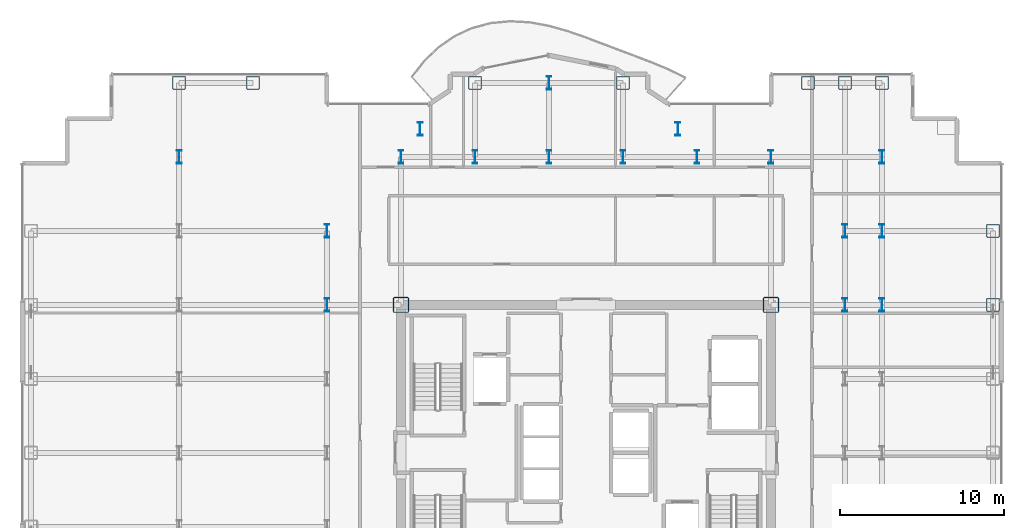
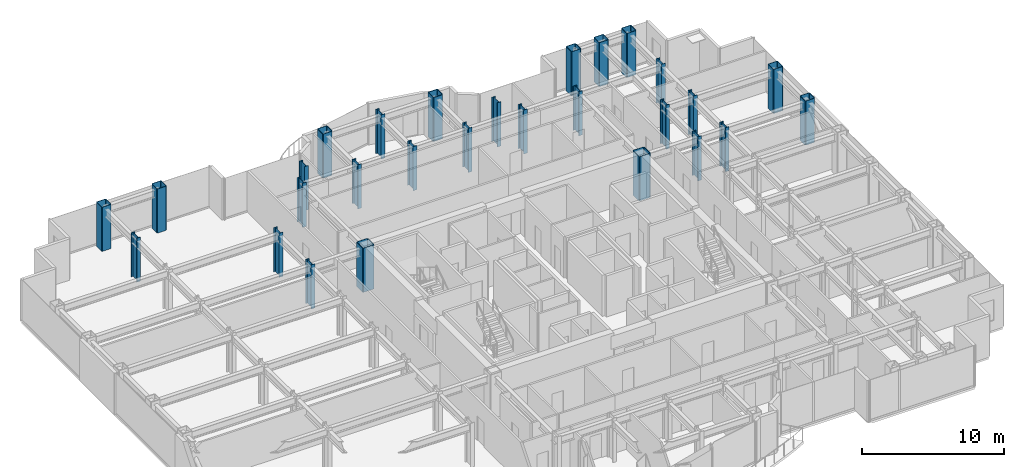
# One storey, part 2 of 26: 28 columns.
"""IFC4 building model written with IfcOpenShell, lengths in metres."""

from ifc_helpers import new_model, si_unit, direction, frame, origin, origin_2d, place, context, subcontext, project, spatial, hollow_rectangle, i_section, extrude, source, transform, mapped, material, material_profile, profile_set, type_object, element, save


model = new_model("IFC4")

# Units and contexts
model_context = context("Model", 3, precision=1e-05, world=origin(), true_north=direction((0.0, 1.0)))
body_context = subcontext(model_context, "Body", "Model", "MODEL_VIEW")
ifc_project = project(units=[si_unit("LENGTHUNIT", "METRE"), si_unit("AREAUNIT", "SQUARE_METRE"), si_unit("VOLUMEUNIT", "CUBIC_METRE"), si_unit("PLANEANGLEUNIT", "RADIAN"), si_unit("MASSUNIT", "GRAM", prefix="KILO")], contexts=[model_context])

# Site, building, storey
site_placement = place(None, origin())
site = spatial("IfcSite", under=ifc_project, at=site_placement, CompositionType="ELEMENT")
building_placement = place(site_placement, origin())
building = spatial("IfcBuilding", under=site, at=building_placement, Name="Nefas-Gora Pilgrimage Tower", CompositionType="ELEMENT")
storey_placement = place(building_placement, frame((0.0, 0.0, 171.60009765625)))
storey = spatial("IfcBuildingStorey", under=building, at=storey_placement, Name="L42", CompositionType="ELEMENT", Elevation=171.60009765625)

# Columns
ifc_material = material(Name="Steel S460", Category="steel")
ifc_material_profile_1 = material_profile(ifc_material, hollow_rectangle(XDim=0.949951171875, YDim=0.949951171875, WallThickness=0.044921875, InnerFilletRadius=0.044921875, OuterFilletRadius=0.090087890625, at=origin_2d()), Name="BOX 950x950x45")
ifc_profile_set_1 = profile_set([ifc_material_profile_1], Name="Steel S460")
column_type_1 = type_object("IfcColumnType", Name="COL-CORE-950", PredefinedType="COLUMN", material=ifc_profile_set_1)
shared_shape_1 = source(origin(), body_context, "Body", "SweptSolid", [
    extrude(hollow_rectangle(XDim=0.949951171875, YDim=0.949951171875, WallThickness=0.044921875, InnerFilletRadius=0.044921875, OuterFilletRadius=0.090087890625, at=origin_2d()), origin(), (0.0, 0.0, 1.0), 3.7998046875),
])
for number, where, z_axis, x_axis, name in (
    (1, (-11.25, 9.0, 0.0), (0.0, 0.0, 1.0), (1.0, 0.0, 0.0), "L42 Tower Column CC-Z1.30"),
    (2, (11.25, 9.0, 0.0), (0.0, 0.0, 1.0), (1.0, 0.0, 0.0), "L42 Tower Column CC-Z1.52"),
):
    element("IfcColumn", number, at=place(storey_placement, frame(where, z_axis=z_axis, x_axis=x_axis)), inside=storey, type_object=column_type_1, Name=name, PredefinedType="COLUMN", context=body_context, shape_type="MappedRepresentation", body=[
        mapped(shared_shape_1, transform((0.0, 0.0, 0.0), x_axis=(1.0, 0.0, 0.0), y_axis=(0.0, 1.0, 0.0), z_axis=(0.0, 0.0, 1.0), scale=1.0)),
    ])
ifc_material_profile_2 = material_profile(ifc_material, hollow_rectangle(XDim=0.800048828125, YDim=0.800048828125, WallThickness=0.0400390625, InnerFilletRadius=0.0400390625, OuterFilletRadius=0.080078125, at=origin_2d()), Name="BOX 800x800x40")
ifc_profile_set_2 = profile_set([ifc_material_profile_2], Name="Steel S460")
column_type_2 = type_object("IfcColumnType", Name="COL-TUBE-800", PredefinedType="COLUMN", material=ifc_profile_set_2)
shared_shape_2 = source(origin(), body_context, "Body", "SweptSolid", [
    extrude(hollow_rectangle(XDim=0.800048828125, YDim=0.800048828125, WallThickness=0.0400390625, InnerFilletRadius=0.0400390625, OuterFilletRadius=0.080078125, at=origin_2d()), origin(), (0.0, 0.0, 1.0), 3.7998046875),
])
for number, where, z_axis, x_axis, name in (
    (3, (-24.75, 22.5, 0.0), (0.0, 0.0, 1.0), (1.0, 0.0, 0.0), "L42 Tower Column C-Z2.18"),
    (4, (-20.25, 22.5, 0.0), (0.0, 0.0, 1.0), (1.0, 0.0, 0.0), "L42 Tower Column C-Z2.20"),
    (5, (-6.75, 22.5, 0.0), (0.0, 0.0, 1.0), (1.0, 0.0, 0.0), "L42 Tower Column C-Z2.37"),
    (6, (2.25, 22.5, 0.0), (0.0, 0.0, 1.0), (1.0, 0.0, 0.0), "L42 Tower Column C-Z2.45"),
    (7, (13.5, 22.5, 0.0), (0.0, 0.0, 1.0), (1.0, 0.0, 0.0), "L42 Tower Column C-Z2.55"),
    (8, (15.75, 22.5, 0.0), (0.0, 0.0, 1.0), (1.0, 0.0, 0.0), "L42 Tower Column C-Z2.64"),
    (9, (18.0, 22.5, 0.0), (0.0, 0.0, 1.0), (1.0, 0.0, 0.0), "L42 Tower Column C-Z2.75"),
    (10, (24.75, 9.0, 0.0), (0.0, 0.0, 1.0), (1.0, 0.0, 0.0), "L42 Tower Column C-Z2.81"),
    (11, (24.75, 13.5, 0.0), (0.0, 0.0, 1.0), (1.0, 0.0, 0.0), "L42 Tower Column C-Z2.82"),
):
    element("IfcColumn", number, at=place(storey_placement, frame(where, z_axis=z_axis, x_axis=x_axis)), inside=storey, type_object=column_type_2, Name=name, PredefinedType="COLUMN", context=body_context, shape_type="MappedRepresentation", body=[
        mapped(shared_shape_2, transform((0.0, 0.0, 0.0), x_axis=(1.0, 0.0, 0.0), y_axis=(0.0, 1.0, 0.0), z_axis=(0.0, 0.0, 1.0), scale=1.0)),
    ])
ifc_material_profile_3 = material_profile(ifc_material, i_section(OverallWidth=0.302978515625, OverallDepth=0.81396484375, WebThickness=0.02099609375, FlangeThickness=0.0400390625, FilletRadius=0.030029296875, at=origin_2d()), Name="HEM 800")
ifc_profile_set_3 = profile_set([ifc_material_profile_3], Name="Steel S460")
column_type_3 = type_object("IfcColumnType", Name="COL-WEB-HEM800", PredefinedType="COLUMN", material=ifc_profile_set_3)
shared_shape_3 = source(origin(), body_context, "Body", "SweptSolid", [
    extrude(i_section(OverallWidth=0.302978515625, OverallDepth=0.81396484375, WebThickness=0.02099609375, FlangeThickness=0.0400390625, FilletRadius=0.030029296875, at=origin_2d()), origin(), (0.0, 0.0, 1.0), 3.7998046875),
])
for number, where, z_axis, x_axis, name in (
    (12, (-24.75, 18.0, 0.0), (0.0, 0.0, 1.0), (1.0, 0.0, 0.0), "L42 Tower Column CW-02.17"),
    (13, (-15.75, 9.0, 0.0), (0.0, 0.0, 1.0), (1.0, 0.0, 0.0), "L42 Tower Column CW-02.26"),
    (14, (-15.75, 13.5, 0.0), (0.0, 0.0, 1.0), (1.0, 0.0, 0.0), "L42 Tower Column CW-02.27"),
    (15, (-11.25, 18.0, 0.0), (0.0, 0.0, 1.0), (1.0, 0.0, 0.0), "L42 Tower Column CW-02.31"),
    (16, (-10.091064453125, 19.696044921875, 0.0), (0.0, 0.0, 1.0), (1.0, 0.0, 0.0), "L42 Tower Column CW-02.33"),
    (17, (-6.75, 18.0, 0.0), (0.0, 0.0, 1.0), (1.0, 0.0, 0.0), "L42 Tower Column CW-02.36"),
    (18, (-2.25, 18.0, 0.0), (0.0, 0.0, 1.0), (1.0, 0.0, 0.0), "L42 Tower Column CW-02.40"),
    (19, (-2.25, 22.5, 0.0), (0.0, 0.0, 1.0), (1.0, 0.0, 0.0), "L42 Tower Column CW-02.41"),
    (20, (2.25, 18.0, 0.0), (0.0, 0.0, 1.0), (1.0, 0.0, 0.0), "L42 Tower Column CW-02.44"),
    (21, (5.591064453125, 19.696044921875, 0.0), (0.0, 0.0, 1.0), (1.0, 0.0, 0.0), "L42 Tower Column CW-02.47"),
    (22, (6.75, 18.0, 0.0), (0.0, 0.0, 1.0), (1.0, 0.0, 0.0), "L42 Tower Column CW-02.49"),
    (23, (11.25, 18.0, 0.0), (0.0, 0.0, 1.0), (1.0, 0.0, 0.0), "L42 Tower Column CW-02.53"),
    (24, (15.75, 9.0, 0.0), (0.0, 0.0, 1.0), (1.0, 0.0, 0.0), "L42 Tower Column CW-02.62"),
    (25, (15.75, 13.5, 0.0), (0.0, 0.0, 1.0), (1.0, 0.0, 0.0), "L42 Tower Column CW-02.63"),
    (26, (18.0, 9.0, 0.0), (0.0, 0.0, 1.0), (1.0, 0.0, 0.0), "L42 Tower Column CW-02.72"),
    (27, (18.0, 13.5, 0.0), (0.0, 0.0, 1.0), (1.0, 0.0, 0.0), "L42 Tower Column CW-02.73"),
    (28, (18.0, 18.0, 0.0), (0.0, 0.0, 1.0), (1.0, 0.0, 0.0), "L42 Tower Column CW-02.74"),
):
    element("IfcColumn", number, at=place(storey_placement, frame(where, z_axis=z_axis, x_axis=x_axis)), inside=storey, type_object=column_type_3, Name=name, PredefinedType="COLUMN", context=body_context, shape_type="MappedRepresentation", body=[
        mapped(shared_shape_3, transform((0.0, 0.0, 0.0), x_axis=(1.0, 0.0, 0.0), y_axis=(0.0, 1.0, 0.0), z_axis=(0.0, 0.0, 1.0), scale=1.0)),
    ])

save(model, "model.ifc")
